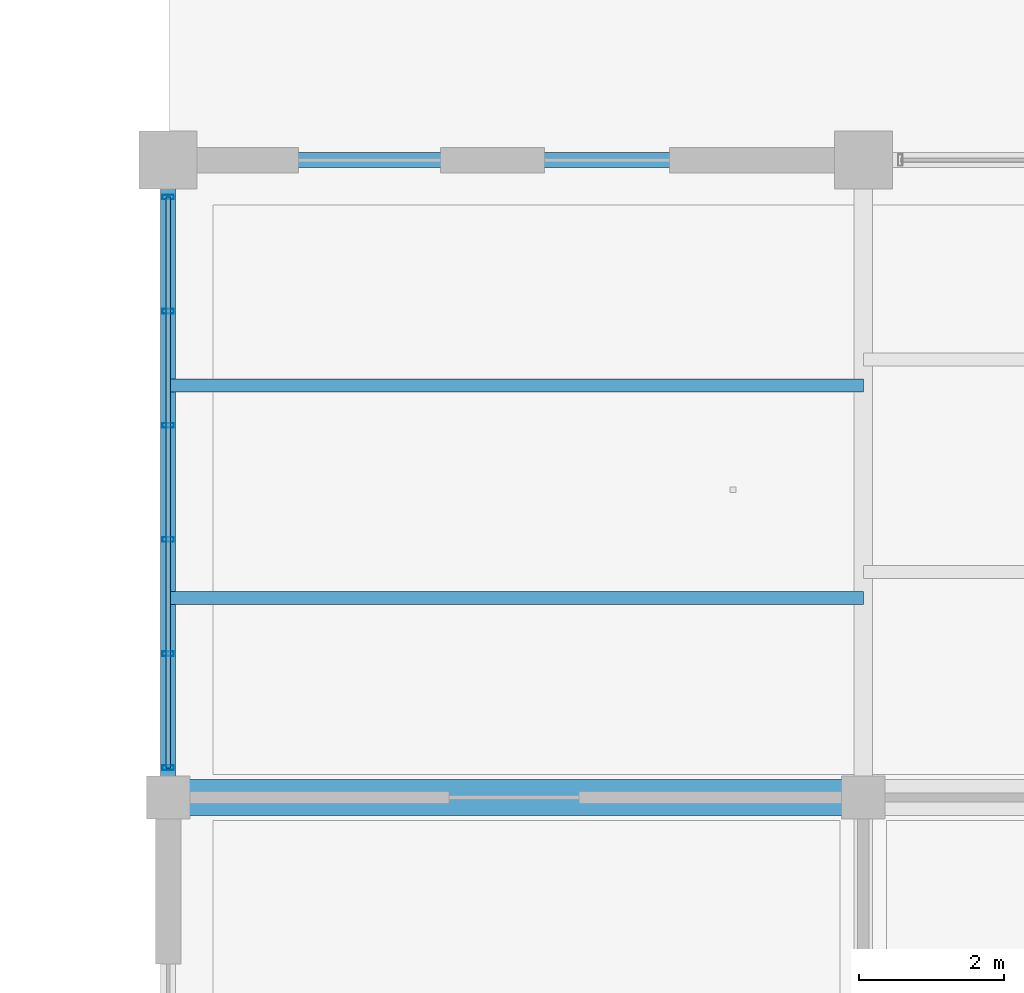
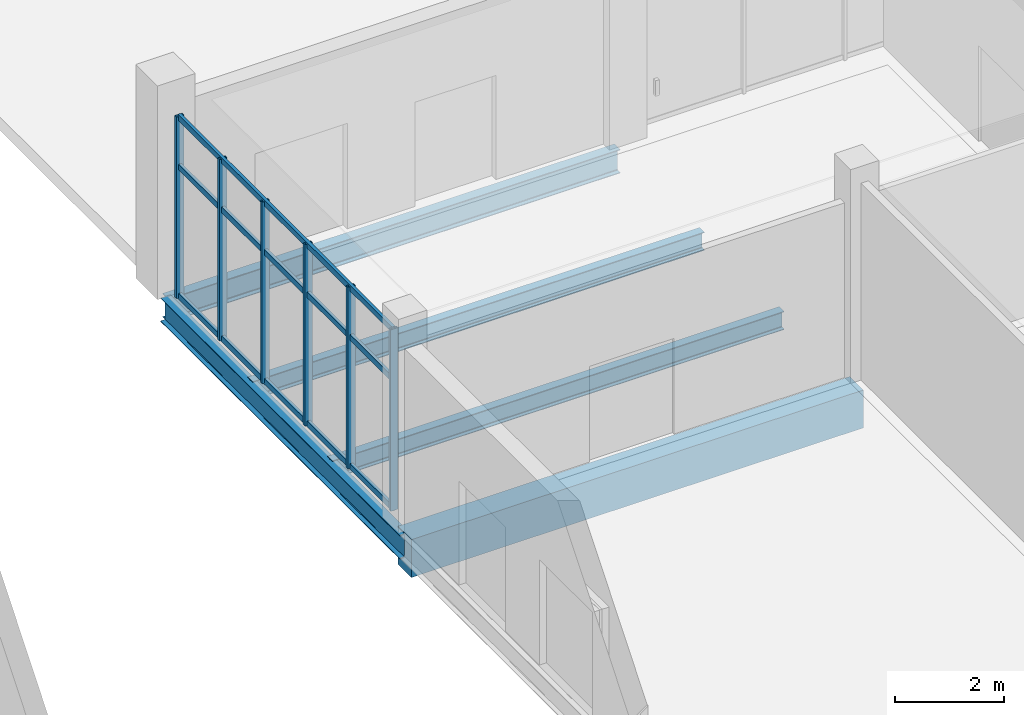
# One storey, part 36 of 116: 9 members, 5 beams, 1 element without a shape of its own.
"""IFC4 building model written with IfcOpenShell, lengths in metres."""

from ifc_helpers import new_model, si_unit, direction, frame, origin, origin_2d, place, context, subcontext, project, spatial, rectangle, hollow_rectangle, i_section, extrude, material, layer, layer_set, material_profile, profile_set, type_object, element, aggregate, save


model = new_model("IFC4")

# Units and contexts
model_context = context("Model", 3, precision=1e-05, world=origin(), true_north=direction((0.0, 1.0)))
body_context = subcontext(model_context, "Body", "Model", "MODEL_VIEW")
ifc_project = project(units=[si_unit("LENGTHUNIT", "METRE"), si_unit("AREAUNIT", "SQUARE_METRE"), si_unit("VOLUMEUNIT", "CUBIC_METRE"), si_unit("PLANEANGLEUNIT", "RADIAN"), si_unit("MASSUNIT", "GRAM", prefix="KILO")], contexts=[model_context])

# Site, building, storey
site_placement = place(None, origin())
site = spatial("IfcSite", under=ifc_project, at=site_placement, CompositionType="ELEMENT")
building_placement = place(site_placement, origin())
building = spatial("IfcBuilding", under=site, at=building_placement, Name="Chalmorin Arch Market", CompositionType="ELEMENT")
storey_placement = place(building_placement, origin())
storey = spatial("IfcBuildingStorey", under=building, at=storey_placement, Name="L00", CompositionType="ELEMENT", Elevation=0.0)

# Curtain wall, members
ifc_material_1 = material(Name="Aluminium 6063-T6", Category="aluminium")
ifc_layer = layer(ifc_material_1, 0.159912109375)
ifc_layer_set = layer_set([ifc_layer], Name="Aluminium 6063-T6")
curtain_wall_type = type_object("IfcCurtainWallType", Name="GableTympanumCurtainWall-CW4-7880x4080", PredefinedType="NOTDEFINED", material=ifc_layer_set)
curtain_wall_placement = place(storey_placement, origin())
curtain_wall = element("IfcCurtainWall", 1, at=curtain_wall_placement, inside=storey, type_object=curtain_wall_type, Name="CW-04-034", PredefinedType="NOTDEFINED")
ifc_material_profile_1 = material_profile(ifc_material_1, hollow_rectangle(XDim=0.06494140625, YDim=0.159912109375, WallThickness=0.00390625, at=origin_2d()), Name="ALU65X160X4")
ifc_profile_set_1 = profile_set([ifc_material_profile_1], Name="Aluminium 6063-T6")
member_type_1 = type_object("IfcMemberType", Name="CurtainWallMullion-65x160", PredefinedType="MULLION", material=ifc_profile_set_1)
member_1_placement = place(storey_placement, frame((48.0, 50.409912109375, 0.0), z_axis=(0.0, 0.0, 1.0), x_axis=(0.0, 1.0, 0.0)))
member_1 = element("IfcMember", 2, at=member_1_placement, type_object=member_type_1, Name="ML-034-01", PredefinedType="MULLION", context=body_context, shape_type="SweptSolid", body=[
    extrude(hollow_rectangle(XDim=0.06494140625, YDim=0.159912109375, WallThickness=0.00390625, at=origin_2d()), origin(), (0.0, 0.0, 1.0), 4.075927734375),
])
member_2_placement = place(storey_placement, frame((48.0, 51.986083984375, 0.0), z_axis=(0.0, 0.0, 1.0), x_axis=(0.0, 1.0, 0.0)))
member_2 = element("IfcMember", 3, at=member_2_placement, type_object=member_type_1, Name="ML-034-02", PredefinedType="MULLION", context=body_context, shape_type="SweptSolid", body=[
    extrude(hollow_rectangle(XDim=0.06494140625, YDim=0.159912109375, WallThickness=0.00390625, at=origin_2d()), origin(), (0.0, 0.0, 1.0), 4.075927734375),
])
member_3_placement = place(storey_placement, frame((48.0, 53.56201171875, 0.0), z_axis=(0.0, 0.0, 1.0), x_axis=(0.0, 1.0, 0.0)))
member_3 = element("IfcMember", 4, at=member_3_placement, type_object=member_type_1, Name="ML-034-03", PredefinedType="MULLION", context=body_context, shape_type="SweptSolid", body=[
    extrude(hollow_rectangle(XDim=0.06494140625, YDim=0.159912109375, WallThickness=0.00390625, at=origin_2d()), origin(), (0.0, 0.0, 1.0), 4.075927734375),
])
member_4_placement = place(storey_placement, frame((48.0, 55.137939453125, 0.0), z_axis=(0.0, 0.0, 1.0), x_axis=(0.0, 1.0, 0.0)))
member_4 = element("IfcMember", 5, at=member_4_placement, type_object=member_type_1, Name="ML-034-04", PredefinedType="MULLION", context=body_context, shape_type="SweptSolid", body=[
    extrude(hollow_rectangle(XDim=0.06494140625, YDim=0.159912109375, WallThickness=0.00390625, at=origin_2d()), origin(), (0.0, 0.0, 1.0), 4.075927734375),
])
member_5_placement = place(storey_placement, frame((48.0, 56.714111328125, 0.0), z_axis=(0.0, 0.0, 1.0), x_axis=(0.0, 1.0, 0.0)))
member_5 = element("IfcMember", 6, at=member_5_placement, type_object=member_type_1, Name="ML-034-05", PredefinedType="MULLION", context=body_context, shape_type="SweptSolid", body=[
    extrude(hollow_rectangle(XDim=0.06494140625, YDim=0.159912109375, WallThickness=0.00390625, at=origin_2d()), origin(), (0.0, 0.0, 1.0), 4.075927734375),
])
member_6_placement = place(storey_placement, frame((48.0, 58.2900390625, 0.0), z_axis=(0.0, 0.0, 1.0), x_axis=(0.0, 1.0, 0.0)))
member_6 = element("IfcMember", 7, at=member_6_placement, type_object=member_type_1, Name="ML-034-06", PredefinedType="MULLION", context=body_context, shape_type="SweptSolid", body=[
    extrude(hollow_rectangle(XDim=0.06494140625, YDim=0.159912109375, WallThickness=0.00390625, at=origin_2d()), origin(), (0.0, 0.0, 1.0), 4.075927734375),
])
ifc_material_profile_2 = material_profile(ifc_material_1, hollow_rectangle(XDim=0.06494140625, YDim=0.1298828125, WallThickness=0.00390625, at=origin_2d()), Name="ALU65X130X4")
ifc_profile_set_2 = profile_set([ifc_material_profile_2], Name="Aluminium 6063-T6")
member_type_2 = type_object("IfcMemberType", Name="CurtainWallTransom-65x130", PredefinedType="USERDEFINED", material=ifc_profile_set_2)
member_7_placement = place(storey_placement, frame((48.0, 50.409912109375, 0.034912109375), z_axis=(0.0, 1.0, 0.0), x_axis=(-1.0, 0.0, 0.0)))
member_7 = element("IfcMember", 8, at=member_7_placement, type_object=member_type_2, Name="TR-034-01", ObjectType="TRANSOM", PredefinedType="USERDEFINED", context=body_context, shape_type="SweptSolid", body=[
    extrude(hollow_rectangle(XDim=0.06494140625, YDim=0.1298828125, WallThickness=0.00390625, at=origin_2d()), origin(), (0.0, 0.0, 1.0), 7.880126953125),
])
member_8_placement = place(storey_placement, frame((48.0, 50.409912109375, 2.934814453125), z_axis=(0.0, 1.0, 0.0), x_axis=(-1.0, 0.0, 0.0)))
member_8 = element("IfcMember", 9, at=member_8_placement, type_object=member_type_2, Name="TR-034-02", ObjectType="TRANSOM", PredefinedType="USERDEFINED", context=body_context, shape_type="SweptSolid", body=[
    extrude(hollow_rectangle(XDim=0.06494140625, YDim=0.1298828125, WallThickness=0.00390625, at=origin_2d()), origin(), (0.0, 0.0, 1.0), 7.880126953125),
])
member_9_placement = place(storey_placement, frame((48.0, 50.409912109375, 4.041015625), z_axis=(0.0, 1.0, 0.0), x_axis=(-1.0, 0.0, 0.0)))
member_9 = element("IfcMember", 10, at=member_9_placement, type_object=member_type_2, Name="TR-034-03", ObjectType="TRANSOM", PredefinedType="USERDEFINED", context=body_context, shape_type="SweptSolid", body=[
    extrude(hollow_rectangle(XDim=0.06494140625, YDim=0.1298828125, WallThickness=0.00390625, at=origin_2d()), origin(), (0.0, 0.0, 1.0), 7.880126953125),
])
aggregate(curtain_wall, [member_1, member_2, member_3, member_4, member_5, member_6, member_7, member_8, member_9])

# Beams
ifc_material_2 = material(Name="Steel A992 Grade 50", Category="steel")
ifc_material_profile_3 = material_profile(ifc_material_2, i_section(OverallWidth=0.208984375, OverallDepth=0.532958984375, WebThickness=0.01025390625, FlangeThickness=0.015625, FilletRadius=0.02197265625, at=origin_2d()), Name="W21X62")
ifc_profile_set_3 = profile_set([ifc_material_profile_3], Name="Steel A992 Grade 50")
beam_type_1 = type_object("IfcBeamType", Name="PerimeterSpandrelBeam-W21X62", PredefinedType="SPANDREL", material=ifc_profile_set_3)
beam_1_placement = place(storey_placement, frame((48.0, 58.800048828125, -0.568603515625), z_axis=(1.0, 0.0, 0.0), x_axis=(0.0, 1.0, 0.0)))
element("IfcBeam", 11, at=beam_1_placement, inside=storey, type_object=beam_type_1, Name="SP-W21-0017", PredefinedType="SPANDREL", context=body_context, shape_type="SweptSolid", body=[
    extrude(i_section(OverallWidth=0.208984375, OverallDepth=0.532958984375, WebThickness=0.01025390625, FlangeThickness=0.015625, FilletRadius=0.02197265625, at=origin_2d()), origin(), (0.0, 0.0, 1.0), 9.60009765625),
])
beam_2_placement = place(storey_placement, frame((48.0, 50.0, -0.568603515625), z_axis=(0.0, 1.0, 0.0), x_axis=(-1.0, 0.0, 0.0)))
element("IfcBeam", 12, at=beam_2_placement, inside=storey, type_object=beam_type_1, Name="SP-W21-0018", PredefinedType="SPANDREL", context=body_context, shape_type="SweptSolid", body=[
    extrude(i_section(OverallWidth=0.208984375, OverallDepth=0.532958984375, WebThickness=0.01025390625, FlangeThickness=0.015625, FilletRadius=0.02197265625, at=origin_2d()), origin(), (0.0, 0.0, 1.0), 8.800048828125),
])
ifc_material_3 = material(Name="Concrete C40/50", Category="concrete")
ifc_material_profile_4 = material_profile(ifc_material_3, rectangle(XDim=0.5, YDim=0.85009765625, at=origin_2d()), Name="RC500X850")
ifc_profile_set_4 = profile_set([ifc_material_profile_4], Name="Concrete C40/50")
beam_type_2 = type_object("IfcBeamType", Name="PlinthConcreteGirder-500x850", PredefinedType="BEAM", material=ifc_profile_set_4)
beam_3_placement = place(storey_placement, frame((48.0, 50.0, -0.70703125), z_axis=(1.0, 0.0, 0.0), x_axis=(0.0, 1.0, 0.0)))
element("IfcBeam", 13, at=beam_3_placement, inside=storey, type_object=beam_type_2, Name="BG-RC1-0014", PredefinedType="BEAM", context=body_context, shape_type="SweptSolid", body=[
    extrude(rectangle(XDim=0.5, YDim=0.85009765625, at=origin_2d()), origin(), (0.0, 0.0, 1.0), 9.60009765625),
])
ifc_material_profile_5 = material_profile(ifc_material_2, i_section(OverallWidth=0.178955078125, OverallDepth=0.409912109375, WebThickness=0.0087890625, FlangeThickness=0.014404296875, FilletRadius=0.01806640625, at=origin_2d()), Name="W16X45")
ifc_profile_set_5 = profile_set([ifc_material_profile_5], Name="Steel A992 Grade 50")
beam_type_3 = type_object("IfcBeamType", Name="SecondaryFloorJoist-W16X45", PredefinedType="JOIST", material=ifc_profile_set_5)
for number, where, z_axis, x_axis, name in (
    (14, (48.0, 52.75341796875, -0.487060546875), (1.0, 0.0, 0.0), (0.0, 1.0, 0.0), "BJ-W16A-0119"),
    (15, (48.0, 55.686767578125, -0.487060546875), (1.0, 0.0, 0.0), (0.0, 1.0, 0.0), "BJ-W16A-0120"),
):
    element("IfcBeam", number, at=place(storey_placement, frame(where, z_axis=z_axis, x_axis=x_axis)), inside=storey, type_object=beam_type_3, Name=name, PredefinedType="JOIST", context=body_context, shape_type="SweptSolid", body=[
        extrude(i_section(OverallWidth=0.178955078125, OverallDepth=0.409912109375, WebThickness=0.0087890625, FlangeThickness=0.014404296875, FilletRadius=0.01806640625, at=origin_2d()), origin(), (0.0, 0.0, 1.0), 9.60009765625),
    ])

save(model, "model.ifc")
